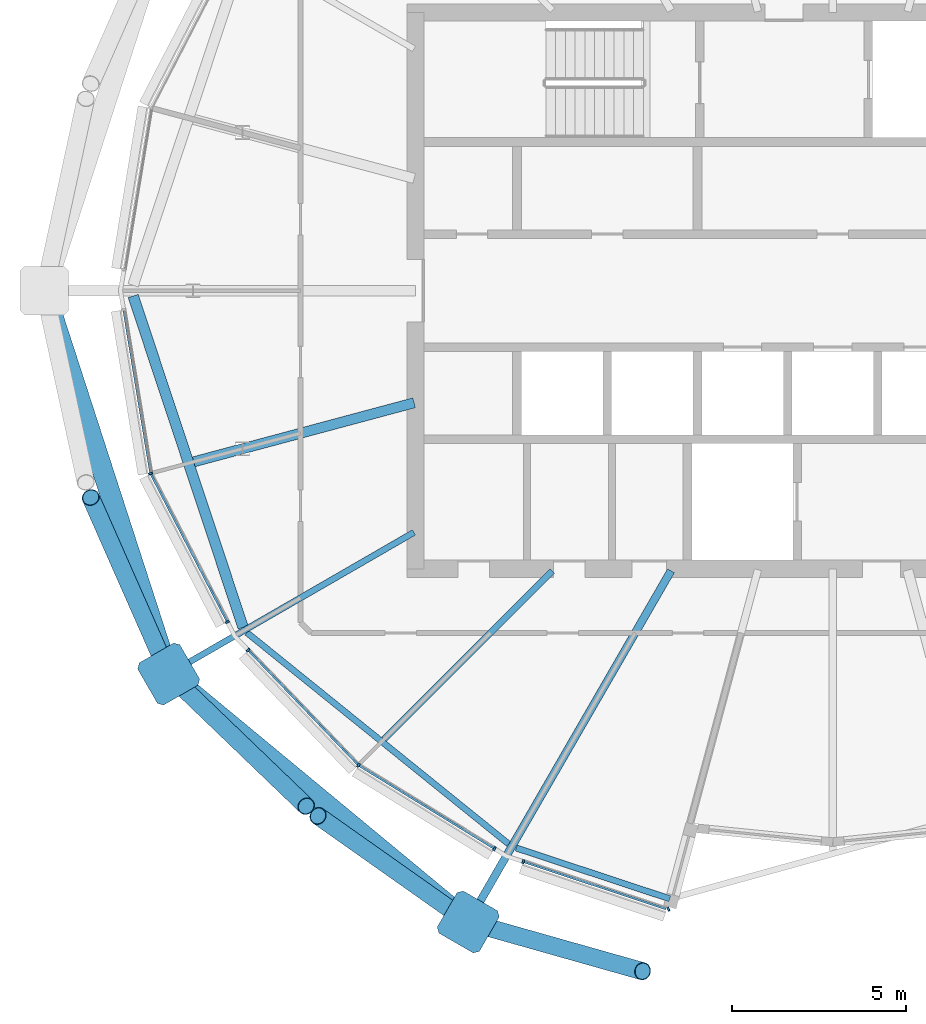
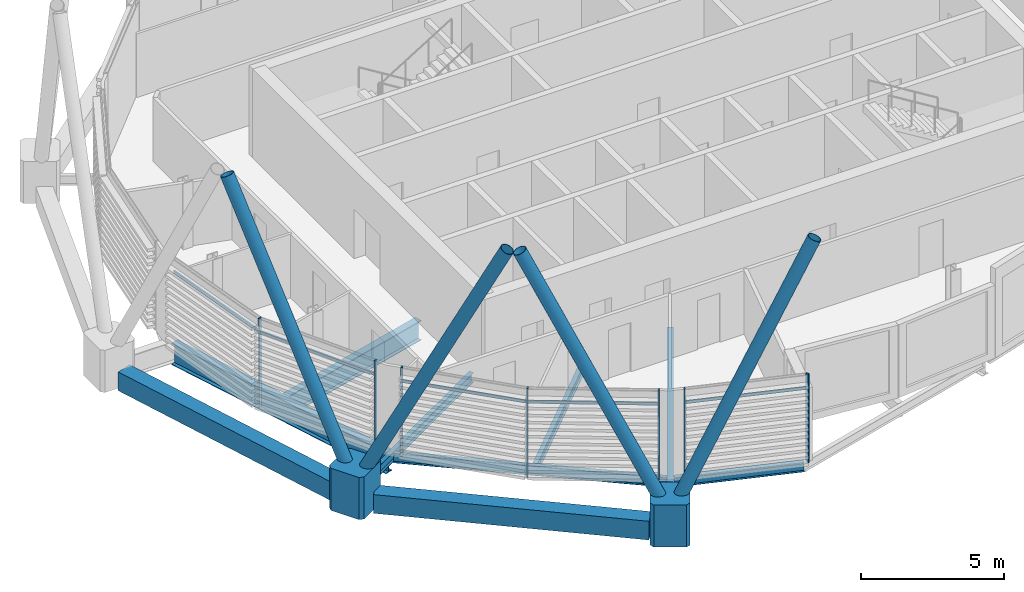
# One storey, part 3 of 32: 18 members, 9 beams, 1 element without a shape of its own.
"""IFC4 building model written with IfcOpenShell, lengths in metres."""

import ifcopenshell
import ifcopenshell.guid

model = None  # the IFC model being written
_history = None  # IfcOwnerHistory: only IFC2X3 demands one
_inside = {}  # id of a spatial element -> (the spatial element, [elements in it])
_under = {}  # id of a project, library or spatial element -> (it, [spatial elements below it])
_declared = {}  # id of a project -> (the project, [libraries it declares])
_typed = {}  # id of a type object -> (the type object, [elements of that type])
_made_of = {}  # id of a material, layer set ... -> (it, [elements and type objects made of it])


def new_model(schema):
    """Start an empty IFC model of exactly this schema.

    Asked for "IFC4X3", IfcOpenShell would pick the latest addendum, in which some entities
    have other attributes; the version numbers below select the first issue.
    IFC2X3 requires an IfcOwnerHistory on every rooted entity: one is made here for all.
    """
    global model, _history
    if schema == "IFC4X3":
        model = ifcopenshell.file(schema_version=(4, 3, 0, 0))
    else:
        model = ifcopenshell.file(schema=schema)
    _inside.clear()
    _under.clear()
    _declared.clear()
    _typed.clear()
    _made_of.clear()
    _history = None
    if model.schema == "IFC2X3":
        org = make("IfcOrganization", Name="unknown")
        user = make(
            "IfcPersonAndOrganization",
            ThePerson=make("IfcPerson", FamilyName="unknown"),
            TheOrganization=org,
        )
        app = make(
            "IfcApplication",
            ApplicationDeveloper=org,
            Version="unknown",
            ApplicationFullName="unknown",
            ApplicationIdentifier="unknown",
        )
        _history = make(
            "IfcOwnerHistory",
            OwningUser=user,
            OwningApplication=app,
            ChangeAction="ADDED",
            CreationDate=0,
        )
    return model


def make(cls, **values):
    """One entity of the class cls with the attributes given. An attribute that is None is left unset."""
    return model.create_entity(
        cls, **{name: value for name, value in values.items() if value is not None}
    )


def rooted(cls, **values):
    """An entity with a GlobalId (a new one), such as an element, a storey or a relation."""
    return make(cls, GlobalId=ifcopenshell.guid.new(), OwnerHistory=_history, **values)


def si_unit(unit_type, name, prefix=None):
    """IfcSIUnit, for example si_unit("LENGTHUNIT", "METRE", prefix="MILLI")."""
    return make("IfcSIUnit", UnitType=unit_type, Prefix=prefix, Name=name)


def assignment(units):
    """IfcUnitAssignment: the units of a project."""
    return None if units is None else make("IfcUnitAssignment", Units=units)


def point(xyz):
    """IfcCartesianPoint."""
    return None if xyz is None else make("IfcCartesianPoint", Coordinates=xyz)


def direction(xyz):
    """IfcDirection."""
    return None if xyz is None else make("IfcDirection", DirectionRatios=xyz)


def frame(location, z_axis=None, x_axis=None):
    """IfcAxis2Placement3D, a coordinate frame: its origin and axes. An axis left out is left unset."""
    return make(
        "IfcAxis2Placement3D",
        Location=point(location),
        Axis=direction(z_axis),
        RefDirection=direction(x_axis),
    )


def frame_2d(location, x_axis=None):
    """IfcAxis2Placement2D, a coordinate frame in the plane: its origin and x axis."""
    return make(
        "IfcAxis2Placement2D", Location=point(location), RefDirection=direction(x_axis)
    )


def origin():
    """The frame at (0, 0, 0) with its axes left unset."""
    return frame((0.0, 0.0, 0.0))


def origin_2d():
    """The frame at (0, 0) in the plane with its x axis left unset."""
    return frame_2d((0.0, 0.0))


def place(relative_to, where):
    """IfcLocalPlacement: puts the frame where relative to a parent placement (None: the world)."""
    return make(
        "IfcLocalPlacement", PlacementRelTo=relative_to, RelativePlacement=where
    )


def context(
    kind, dimensions, precision=None, world=None, true_north=None, identifier=None
):
    """IfcGeometricRepresentationContext, for example the 3D "Model" context."""
    return make(
        "IfcGeometricRepresentationContext",
        ContextIdentifier=identifier,
        ContextType=kind,
        CoordinateSpaceDimension=dimensions,
        Precision=precision,
        WorldCoordinateSystem=world,
        TrueNorth=true_north,
    )


def subcontext(parent, identifier, kind, view, scale=None):
    """IfcGeometricRepresentationSubContext, for example "Body" below "Model"."""
    return make(
        "IfcGeometricRepresentationSubContext",
        ContextIdentifier=identifier,
        ContextType=kind,
        ParentContext=parent,
        TargetScale=scale,
        TargetView=view,
    )


def project(units=None, contexts=None):
    """IfcProject with its units and contexts."""
    return rooted(
        "IfcProject",
        Name="project",
        RepresentationContexts=contexts,
        UnitsInContext=assignment(units),
    )


def spatial(cls, under=None, at=None, **own):
    """A site, building, storey or space (cls), placed at a placement, below another one or the project."""
    s = rooted(cls, ObjectPlacement=at, **own)
    if under is not None:
        _under.setdefault(under.id(), (under, []))[1].append(s)
    return s


def polyline(points):
    """IfcPolyline through the points."""
    return make("IfcPolyline", Points=[point(p) for p in points])


def profile(cls, at=None, kind="AREA", **sizes):
    """A parametric profile (cls). Its sizes go by their IFC names, for example OverallWidth=200.0."""
    return make(cls, ProfileType=kind, Position=at, **sizes)


def rectangle(**sizes):
    """IfcRectangleProfileDef."""
    return profile("IfcRectangleProfileDef", **sizes)


def hollow_rectangle(**sizes):
    """IfcRectangleHollowProfileDef."""
    return profile("IfcRectangleHollowProfileDef", **sizes)


def hollow_circle(**sizes):
    """IfcCircleHollowProfileDef."""
    return profile("IfcCircleHollowProfileDef", **sizes)


def i_section(**sizes):
    """IfcIShapeProfileDef."""
    return profile("IfcIShapeProfileDef", **sizes)


def outline(outer, holes=None, kind="AREA"):
    """IfcArbitraryClosedProfileDef: a profile drawn as a closed curve; with holes, ...WithVoids."""
    if holes is None:
        return make("IfcArbitraryClosedProfileDef", ProfileType=kind, OuterCurve=outer)
    return make(
        "IfcArbitraryProfileDefWithVoids",
        ProfileType=kind,
        OuterCurve=outer,
        InnerCurves=holes,
    )


def extrude(swept, where, along, depth):
    """IfcExtrudedAreaSolid: the profile swept, set in the frame where, extruded along a direction by depth."""
    return make(
        "IfcExtrudedAreaSolid",
        SweptArea=swept,
        Position=where,
        ExtrudedDirection=direction(along),
        Depth=depth,
    )


def shape(context_of_items, identifier, shape_type, items):
    """IfcShapeRepresentation: the items that make up one representation, for example the "Body"."""
    return make(
        "IfcShapeRepresentation",
        ContextOfItems=context_of_items,
        RepresentationIdentifier=identifier,
        RepresentationType=shape_type,
        Items=items,
    )


def material(Name=None, Category=None):
    """IfcMaterial."""
    return make("IfcMaterial", Name=Name, Category=Category)


def material_profile(
    of_material, cross_section, Name=None, Category=None, Priority=None
):
    """IfcMaterialProfile: a cross section and its material."""
    return make(
        "IfcMaterialProfile",
        Name=Name,
        Material=of_material,
        Profile=cross_section,
        Priority=Priority,
        Category=Category,
    )


def profile_set(profiles, Name=None, composite=None):
    """IfcMaterialProfileSet."""
    return make(
        "IfcMaterialProfileSet",
        Name=Name,
        MaterialProfiles=profiles,
        CompositeProfile=composite,
    )


def made_of(thing, what):
    """Note that an element or type object is made of a material, layer set ...; save() writes the relation."""
    if what is not None:
        _made_of.setdefault(what.id(), (what, []))[1].append(thing)
    return thing


def type_object(cls, material=None, **own):
    """A type object (cls), such as IfcWallType, which elements share."""
    return made_of(rooted(cls, **own), material)


def element(
    cls,
    number,
    at=None,
    inside=None,
    cuts=None,
    type_object=None,
    material=None,
    context=None,
    identifier="Body",
    shape_type=None,
    held_by="IfcProductDefinitionShape",
    body=None,
    shapes=None,
    **own,
):
    """One element of the class cls, such as IfcWall. Its Tag is "e" and its number.

    at: its placement. inside: the storey or other place that contains it. cuts: it is an
    opening in that element (IfcRelVoidsElement). A single representation is given by context,
    identifier, shape_type and body (its items); several are given by shapes. held_by: the class
    of the entity that holds the representations. save() writes the other relations.
    """
    e = rooted(cls, Tag="e%d" % number, ObjectPlacement=at, **own)
    if body is not None:
        shapes = [shape(context, identifier, shape_type, body)]
    if shapes is not None:
        e.Representation = make(held_by, Representations=shapes)
    if inside is not None:
        _inside.setdefault(inside.id(), (inside, []))[1].append(e)
    if cuts is not None:
        rooted(
            "IfcRelVoidsElement", RelatingBuildingElement=cuts, RelatedOpeningElement=e
        )
    if type_object is not None:
        _typed.setdefault(type_object.id(), (type_object, []))[1].append(e)
    return made_of(e, material)


def aggregate(whole, parts):
    """IfcRelAggregates: a whole, such as a stair, and the parts it consists of."""
    return rooted("IfcRelAggregates", RelatingObject=whole, RelatedObjects=parts)


def save(model, path):
    """Write the relations noted so far, then the file.

    IfcRelAggregates (storeys below a building ...), IfcRelContainedInSpatialStructure (elements
    in a storey), IfcRelDefinesByType, IfcRelAssociatesMaterial and IfcRelDeclares: one each for
    every whole, place, type object, material and project.
    """
    for whole, parts in _under.values():
        aggregate(whole, parts)
    for where, things in _inside.values():
        rooted(
            "IfcRelContainedInSpatialStructure",
            RelatedElements=things,
            RelatingStructure=where,
        )
    for kind, things in _typed.values():
        rooted("IfcRelDefinesByType", RelatedObjects=things, RelatingType=kind)
    for what, things in _made_of.values():
        rooted("IfcRelAssociatesMaterial", RelatedObjects=things, RelatingMaterial=what)
    for by, libraries in _declared.values():
        rooted("IfcRelDeclares", RelatingContext=by, RelatedDefinitions=libraries)
    model.write(path)


model = new_model("IFC4")

# Units and contexts
model_context = context("Model", 3, precision=1e-05, world=origin(), true_north=direction((0.0, 1.0)))
body_context = subcontext(model_context, "Body", "Model", "MODEL_VIEW")
ifc_project = project(units=[si_unit("LENGTHUNIT", "METRE"), si_unit("AREAUNIT", "SQUARE_METRE"), si_unit("VOLUMEUNIT", "CUBIC_METRE"), si_unit("PLANEANGLEUNIT", "RADIAN"), si_unit("MASSUNIT", "GRAM", prefix="KILO")], contexts=[model_context])

# Site, building, storey
site_placement = place(None, origin())
site = spatial("IfcSite", under=ifc_project, at=site_placement, CompositionType="ELEMENT")
building_placement = place(site_placement, origin())
building = spatial("IfcBuilding", under=site, at=building_placement, Name="Rimbun Link Towers", CompositionType="ELEMENT")
storey_placement = place(building_placement, frame((0.0, 0.0, 233.300048828125)))
storey = spatial("IfcBuildingStorey", under=building, at=storey_placement, Name="L57", CompositionType="ELEMENT", Elevation=233.300048828125)

# Curtain wall, members
ifc_material_1 = material(Name="Aluminium 6063-T6 and low-iron glass", Category="aluminium")
curtain_wall_type = type_object("IfcCurtainWallType", Name="CW1-Z4 unitised vision wall (zone 4)", PredefinedType="NOTDEFINED", material=ifc_material_1)
curtain_wall_placement = place(storey_placement, origin())
curtain_wall = element("IfcCurtainWall", 1, at=curtain_wall_placement, inside=storey, type_object=curtain_wall_type, Name="CW1 L57 T1", PredefinedType="NOTDEFINED")
ifc_material_2 = material(Name="Aluminium 6063-T6", Category="aluminium")
ifc_material_profile_1 = material_profile(ifc_material_2, rectangle(XDim=0.1201171875, YDim=0.06005859375, at=origin_2d()), Name="MULLION 60X120")
ifc_profile_set_1 = profile_set([ifc_material_profile_1], Name="Aluminium 6063-T6")
member_type_1 = type_object("IfcMemberType", Name="CW1 mullion 60X120", PredefinedType="MULLION", material=ifc_profile_set_1)
member_1_placement = place(storey_placement, frame((-51.3701171875, -5.260986328125, 0.0), z_axis=(0.0, 0.0, 1.0), x_axis=(-0.949161339918, -0.314790010651, 0.0)))
member_1 = element("IfcMember", 2, at=member_1_placement, type_object=member_type_1, Name="CW1 mullion", PredefinedType="MULLION", context=body_context, shape_type="SweptSolid", body=[
    extrude(rectangle(XDim=0.1201171875, YDim=0.06005859375, at=origin_2d()), origin(), (0.0, 0.0, 1.0), 3.800048828125),
])
member_2_placement = place(storey_placement, frame((-49.161865234375, -9.530517578125, 0.0), z_axis=(0.0, 0.0, 1.0), x_axis=(-0.888151937067, -0.459549928391, 0.0)))
member_2 = element("IfcMember", 3, at=member_2_placement, type_object=member_type_1, Name="CW1 mullion", PredefinedType="MULLION", context=body_context, shape_type="SweptSolid", body=[
    extrude(rectangle(XDim=0.1201171875, YDim=0.06005859375, at=origin_2d()), origin(), (0.0, 0.0, 1.0), 3.800048828125),
])
member_3_placement = place(storey_placement, frame((-45.39111328125, -13.650146484375, 0.0), z_axis=(0.0, 0.0, 1.0), x_axis=(-0.627668219007, -0.778480961134, 0.0)))
member_3 = element("IfcMember", 4, at=member_3_placement, type_object=member_type_1, Name="CW1 mullion", PredefinedType="MULLION", context=body_context, shape_type="SweptSolid", body=[
    extrude(rectangle(XDim=0.1201171875, YDim=0.06005859375, at=origin_2d()), origin(), (0.0, 0.0, 1.0), 3.800048828125),
])
member_4_placement = place(storey_placement, frame((-48.564453125, -10.341064453125, 0.0), z_axis=(0.0, 0.0, 1.0), x_axis=(-0.721841631662, -0.692058277025, 0.0)))
member_4 = element("IfcMember", 5, at=member_4_placement, type_object=member_type_1, Name="CW1 mullion", PredefinedType="MULLION", context=body_context, shape_type="SweptSolid", body=[
    extrude(rectangle(XDim=0.1201171875, YDim=0.06005859375, at=origin_2d()), origin(), (0.0, 0.0, 1.0), 3.800048828125),
])
member_5_placement = place(storey_placement, frame((-41.48095703125, -16.051513671875, 0.0), z_axis=(0.0, 0.0, 1.0), x_axis=(-0.523240269306, -0.852185203214, 0.0)))
member_5 = element("IfcMember", 6, at=member_5_placement, type_object=member_type_1, Name="CW1 mullion", PredefinedType="MULLION", context=body_context, shape_type="SweptSolid", body=[
    extrude(rectangle(XDim=0.1201171875, YDim=0.06005859375, at=origin_2d()), origin(), (0.0, 0.0, 1.0), 3.800048828125),
])
member_6_placement = place(storey_placement, frame((-36.473876953125, -17.7890625, 0.0), z_axis=(0.0, 0.0, 1.0), x_axis=(0.474595886631, -0.88020380844, 0.0)))
member_6 = element("IfcMember", 7, at=member_6_placement, type_object=member_type_1, Name="CW1 mullion", PredefinedType="MULLION", context=body_context, shape_type="SweptSolid", body=[
    extrude(rectangle(XDim=0.1201171875, YDim=0.06005859375, at=origin_2d()), origin(), (0.0, 0.0, 1.0), 3.800048828125),
])
member_7_placement = place(storey_placement, frame((-40.653076171875, -16.424072265625, 0.0), z_axis=(0.0, 0.0, 1.0), x_axis=(-0.314570456722, -0.949234126945, 0.0)))
member_7 = element("IfcMember", 8, at=member_7_placement, type_object=member_type_1, Name="CW1 mullion", PredefinedType="MULLION", context=body_context, shape_type="SweptSolid", body=[
    extrude(rectangle(XDim=0.1201171875, YDim=0.06005859375, at=origin_2d()), origin(), (0.0, 0.0, 1.0), 3.800048828125),
])
ifc_material_3 = material(Name="Aluminium 6063-T6", Category="aluminium")
ifc_material_profile_2 = material_profile(ifc_material_3, rectangle(XDim=0.06005859375, YDim=0.1201171875, at=origin_2d()), Name="TRANSOM 60X120")
ifc_profile_set_2 = profile_set([ifc_material_profile_2], Name="Aluminium 6063-T6")
member_type_2 = type_object("IfcMemberType", Name="CW1 transom 60X120", PredefinedType="USERDEFINED", material=ifc_profile_set_2)
member_8_placement = place(storey_placement, frame((-51.375244140625, -5.221923828125, 3.199951171875), z_axis=(-0.162293852802, 0.986742471642, 0.0), x_axis=(-0.986742471642, -0.162293852802, 0.0)))
member_8 = element("IfcMember", 9, at=member_8_placement, type_object=member_type_2, Name="CW1 transom", ObjectType="TRANSOM", PredefinedType="USERDEFINED", context=body_context, shape_type="SweptSolid", body=[
    extrude(rectangle(XDim=0.06005859375, YDim=0.1201171875, at=origin_2d()), origin(), (0.0, 0.0, 1.0), 4.702392578125),
])
member_9_placement = place(storey_placement, frame((-49.173828125, -9.5029296875, 3.199951171875), z_axis=(-0.459539280034, 0.888157446687, 0.0), x_axis=(-0.888157446687, -0.459539280034, 0.0)))
member_9 = element("IfcMember", 10, at=member_9_placement, type_object=member_type_2, Name="CW1 transom", ObjectType="TRANSOM", PredefinedType="USERDEFINED", context=body_context, shape_type="SweptSolid", body=[
    extrude(rectangle(XDim=0.06005859375, YDim=0.1201171875, at=origin_2d()), origin(), (0.0, 0.0, 1.0), 4.7373046875),
])
member_10_placement = place(storey_placement, frame((-45.416015625, -13.6220703125, 3.199951171875), z_axis=(-0.692060295755, 0.72183969622, 0.0), x_axis=(-0.72183969622, -0.692060295755, 0.0)))
member_10 = element("IfcMember", 11, at=member_10_placement, type_object=member_type_2, Name="CW1 transom", ObjectType="TRANSOM", PredefinedType="USERDEFINED", context=body_context, shape_type="SweptSolid", body=[
    extrude(rectangle(XDim=0.06005859375, YDim=0.1201171875, at=origin_2d()), origin(), (0.0, 0.0, 1.0), 4.517333984375),
])
member_11_placement = place(storey_placement, frame((-41.50537109375, -16.0341796875, 3.199951171875), z_axis=(-0.852212199101, 0.523196299397, 0.0), x_axis=(-0.523196299397, -0.852212199101, 0.0)))
member_11 = element("IfcMember", 12, at=member_11_placement, type_object=member_type_2, Name="CW1 transom", ObjectType="TRANSOM", PredefinedType="USERDEFINED", context=body_context, shape_type="SweptSolid", body=[
    extrude(rectangle(XDim=0.06005859375, YDim=0.1201171875, at=origin_2d()), origin(), (0.0, 0.0, 1.0), 4.521240234375),
])
member_12_placement = place(storey_placement, frame((-36.549072265625, -17.781982421875, 3.199951171875), z_axis=(-0.949233535942, 0.314572240102, 0.0), x_axis=(-0.314572240102, -0.949233535942, 0.0)))
member_12 = element("IfcMember", 13, at=member_12_placement, type_object=member_type_2, Name="CW1 transom", ObjectType="TRANSOM", PredefinedType="USERDEFINED", context=body_context, shape_type="SweptSolid", body=[
    extrude(rectangle(XDim=0.06005859375, YDim=0.1201171875, at=origin_2d()), origin(), (0.0, 0.0, 1.0), 4.292724609375),
])
aggregate(curtain_wall, [member_1, member_2, member_3, member_4, member_5, member_6, member_7, member_8, member_9, member_10, member_11, member_12])

# Members
ifc_material_4 = material(Name="Steel S355J2H", Category="steel")
ifc_material_profile_3 = material_profile(ifc_material_4, hollow_circle(Radius=0.25390625, WallThickness=0.02001953125, at=origin_2d()), Name="Diagrid diagonal CHS 508x20")
ifc_profile_set_3 = profile_set([ifc_material_profile_3], Name="Steel S355J2H")
member_type_3 = type_object("IfcMemberType", Name="Diagrid diagonal CHS 508x20", PredefinedType="BRACE", material=ifc_profile_set_3)
member_13_placement = place(storey_placement, frame((-50.94140625, -10.82080078125, 0.446044921875), z_axis=(-0.182507496072, 0.413512328143, 0.892019376668), x_axis=(-0.91485603395, -0.40378018419, 0.0)))
element("IfcMember", 14, at=member_13_placement, inside=storey, type_object=member_type_3, Name="Diagrid diagonal T1 L57-L60 14a", PredefinedType="BRACE", context=body_context, shape_type="SweptSolid", body=[
    extrude(hollow_circle(Radius=0.25390625, WallThickness=0.02001953125, at=origin_2d()), origin(), (0.0, 0.0, 1.0), 11.77978515625),
])
member_14_placement = place(storey_placement, frame((-50.688720703125, -11.1826171875, 0.447021484375), z_axis=(0.322916287318, -0.310241495782, 0.894133818665), x_axis=(0.692812847263, 0.7211174375, 0.0)))
element("IfcMember", 15, at=member_14_placement, inside=storey, type_object=member_type_3, Name="Diagrid diagonal T1 L57-L60 14b", PredefinedType="BRACE", context=body_context, shape_type="SweptSolid", body=[
    extrude(hollow_circle(Radius=0.25390625, WallThickness=0.02001953125, at=origin_2d()), origin(), (0.0, 0.0, 1.0), 11.749755859375),
])
member_15_placement = place(storey_placement, frame((-42.411376953125, -18.032958984375, 0.4501953125), z_axis=(-0.355393319914, 0.250810450056, 0.900438618842), x_axis=(-0.576598153893, -0.817027887485, 0.0)))
element("IfcMember", 16, at=member_15_placement, inside=storey, type_object=member_type_3, Name="Diagrid diagonal T1 L57-L60 16a", PredefinedType="BRACE", context=body_context, shape_type="SweptSolid", body=[
    extrude(hollow_circle(Radius=0.25390625, WallThickness=0.02001953125, at=origin_2d()), origin(), (0.0, 0.0, 1.0), 11.660400390625),
])
member_16_placement = place(storey_placement, frame((-42.02685546875, -18.216796875, 0.451416015625), z_axis=(0.413652276696, -0.116863383075, 0.902903507403), x_axis=(0.271874390149, 0.962332747017, 0.0)))
element("IfcMember", 17, at=member_16_placement, inside=storey, type_object=member_type_3, Name="Diagrid diagonal T1 L57-L60 16b", PredefinedType="BRACE", context=body_context, shape_type="SweptSolid", body=[
    extrude(hollow_circle(Radius=0.25390625, WallThickness=0.02001953125, at=origin_2d()), origin(), (0.0, 0.0, 1.0), 11.6259765625),
])
ifc_material_5 = material(Name="Cast steel G20Mn5+QT, Rp0.2 300 MPa", Category="steel")
ifc_material_profile_4 = material_profile(ifc_material_5, outline(polyline([(0.699951171875, -0.570068359375), (0.699951171875, 0.570068359375), (0.570068359375, 0.699951171875), (-0.570068359375, 0.699951171875), (-0.699951171875, 0.570068359375), (-0.699951171875, -0.570068359375), (-0.570068359375, -0.699951171875), (0.570068359375, -0.699951171875), (0.699951171875, -0.570068359375)])), Name="NODE 1400x1400")
ifc_profile_set_4 = profile_set([ifc_material_profile_4], Name="Cast steel G20Mn5+QT, Rp0.2 300 MPa")
member_type_4 = type_object("IfcMemberType", Name="Diagrid node cast 1400", PredefinedType="USERDEFINED", material=ifc_profile_set_4)
for number, where, z_axis, x_axis, name in (
    (18, (-50.850341796875, -11.027587890625, -0.900146484375), (0.0, 0.0, 1.0), (-0.866025403784, -0.5, 0.0), "Diagrid node L57 14"),
    (19, (-42.233642578125, -18.158447265625, -0.900146484375), (0.0, 0.0, 1.0), (-0.5, -0.866025403784, 0.0), "Diagrid node L57 16"),
):
    element("IfcMember", number, at=place(storey_placement, frame(where, z_axis=z_axis, x_axis=x_axis)), inside=storey, type_object=member_type_4, Name=name, ObjectType="Diagrid node", PredefinedType="USERDEFINED", context=body_context, shape_type="SweptSolid", body=[
        extrude(outline(polyline([(0.699951171875, -0.570068359375), (0.699951171875, 0.570068359375), (0.570068359375, 0.699951171875), (-0.570068359375, 0.699951171875), (-0.699951171875, 0.570068359375), (-0.699951171875, -0.570068359375), (-0.570068359375, -0.699951171875), (0.570068359375, -0.699951171875), (0.699951171875, -0.570068359375)])), origin(), (0.0, 0.0, 1.0), 1.800048828125),
    ])

# Beams
ifc_material_6 = material(Name="Steel S355J2", Category="steel")
ifc_material_profile_5 = material_profile(ifc_material_6, hollow_rectangle(XDim=0.60009765625, YDim=0.800048828125, WallThickness=0.0400390625, at=origin_2d()), Name="Exoskeleton ring girder BOX 600x800x40")
ifc_profile_set_5 = profile_set([ifc_material_profile_5], Name="Steel S355J2")
beam_type_1 = type_object("IfcBeamType", Name="Exoskeleton ring girder BOX 600x800x40", PredefinedType="BEAM", material=ifc_profile_set_5)
beam_1_placement = place(storey_placement, frame((-54.209228515625, -0.666015625, -0.56005859375), z_axis=(0.308369969629, -0.951266504104, 0.0), x_axis=(0.951266504104, 0.308369969629, 0.0)))
element("IfcBeam", 20, at=beam_1_placement, inside=storey, type_object=beam_type_1, Name="Exoskeleton ring girder L57 06", PredefinedType="BEAM", context=body_context, shape_type="SweptSolid", body=[
    extrude(hollow_rectangle(XDim=0.60009765625, YDim=0.800048828125, WallThickness=0.0400390625, at=origin_2d()), origin(), (0.0, 0.0, 1.0), 10.192626953125),
])
beam_2_placement = place(storey_placement, frame((-50.31103515625, -11.473876953125, -0.56005859375), z_axis=(0.770401082802, -0.637559543586, 0.0), x_axis=(0.637559543586, 0.770401082802, 0.0)))
element("IfcBeam", 21, at=beam_2_placement, inside=storey, type_object=beam_type_1, Name="Exoskeleton ring girder L57 07", PredefinedType="BEAM", context=body_context, shape_type="SweptSolid", body=[
    extrude(hollow_rectangle(XDim=0.60009765625, YDim=0.800048828125, WallThickness=0.0400390625, at=origin_2d()), origin(), (0.0, 0.0, 1.0), 9.78466796875),
])
ifc_material_7 = material(Name="Steel S355J2", Category="steel")
ifc_material_profile_6 = material_profile(ifc_material_7, i_section(OverallWidth=0.177978515625, OverallDepth=0.406494140625, WebThickness=0.0078125, FlangeThickness=0.0126953125, at=origin_2d()), Name="UB 406x178x60")
ifc_profile_set_6 = profile_set([ifc_material_profile_6], Name="Steel S355J2")
beam_type_2 = type_object("IfcBeamType", Name="UB 406x178x60", PredefinedType="BEAM", material=ifc_profile_set_6)
beam_3_placement = place(storey_placement, frame((-43.79541015625, -6.954345703125, -0.34326171875), z_axis=(-0.866018094706, -0.500012659481, 0.0), x_axis=(0.500012659481, -0.866018094706, 0.0)))
element("IfcBeam", 22, at=beam_3_placement, inside=storey, type_object=beam_type_2, Name="Radial beam T1 L57 14", PredefinedType="BEAM", context=body_context, shape_type="SweptSolid", body=[
    extrude(i_section(OverallWidth=0.177978515625, OverallDepth=0.406494140625, WebThickness=0.0078125, FlangeThickness=0.0126953125, at=origin_2d()), origin(), (0.0, 0.0, 1.0), 7.646240234375),
])
beam_4_placement = place(storey_placement, frame((-39.813720703125, -8.063720703125, -0.34326171875), z_axis=(-0.707106781187, -0.707106781187, 0.0), x_axis=(0.707106781187, -0.707106781187, 0.0)))
element("IfcBeam", 23, at=beam_4_placement, inside=storey, type_object=beam_type_2, Name="Radial beam T1 L57 15", PredefinedType="BEAM", context=body_context, shape_type="SweptSolid", body=[
    extrude(i_section(OverallWidth=0.177978515625, OverallDepth=0.406494140625, WebThickness=0.0078125, FlangeThickness=0.0126953125, at=origin_2d()), origin(), (0.0, 0.0, 1.0), 6.84814453125),
])
beam_5_placement = place(storey_placement, frame((-48.60400390625, -9.83447265625, -0.34326171875), z_axis=(0.778073442761, -0.628173318178, 0.0), x_axis=(0.628173318178, 0.778073442761, 0.0)))
element("IfcBeam", 24, at=beam_5_placement, inside=storey, type_object=beam_type_2, Name="Edge beam T1 L57 14-16", PredefinedType="BEAM", context=body_context, shape_type="SweptSolid", body=[
    extrude(i_section(OverallWidth=0.177978515625, OverallDepth=0.406494140625, WebThickness=0.0078125, FlangeThickness=0.0126953125, at=origin_2d()), origin(), (0.0, 0.0, 1.0), 9.680908203125),
])
beam_6_placement = place(storey_placement, frame((-40.852294921875, -16.03125, -0.34326171875), z_axis=(0.949405424141, -0.314053085658, 0.0), x_axis=(0.314053085658, 0.949405424141, 0.0)))
element("IfcBeam", 25, at=beam_6_placement, inside=storey, type_object=beam_type_2, Name="Edge beam T1 L57 16", PredefinedType="BEAM", context=body_context, shape_type="SweptSolid", body=[
    extrude(i_section(OverallWidth=0.177978515625, OverallDepth=0.406494140625, WebThickness=0.0078125, FlangeThickness=0.0126953125, at=origin_2d()), origin(), (0.0, 0.0, 1.0), 4.649658203125),
])
ifc_material_8 = material(Name="Steel S355J2", Category="steel")
ifc_material_profile_7 = material_profile(ifc_material_8, i_section(OverallWidth=0.2275390625, OverallDepth=0.6025390625, WebThickness=0.010498046875, FlangeThickness=0.014892578125, at=origin_2d()), Name="UB 610x229x101")
ifc_profile_set_7 = profile_set([ifc_material_profile_7], Name="Steel S355J2")
beam_type_3 = type_object("IfcBeamType", Name="UB 610x229x101", PredefinedType="BEAM", material=ifc_profile_set_7)
beam_7_placement = place(storey_placement, frame((-36.402099609375, -8.057861328125, -0.44140625), z_axis=(-0.500001378502, -0.866024607905, 0.0), x_axis=(0.866024607905, -0.500001378502, 0.0)))
element("IfcBeam", 26, at=beam_7_placement, inside=storey, type_object=beam_type_3, Name="Radial beam T1 L57 16", PredefinedType="BEAM", context=body_context, shape_type="SweptSolid", body=[
    extrude(i_section(OverallWidth=0.2275390625, OverallDepth=0.6025390625, WebThickness=0.010498046875, FlangeThickness=0.014892578125, at=origin_2d()), origin(), (0.0, 0.0, 1.0), 11.1630859375),
])
ifc_material_9 = material(Name="Steel S355J2", Category="steel")
ifc_material_profile_8 = material_profile(ifc_material_9, i_section(OverallWidth=0.29248046875, OverallDepth=0.8408203125, WebThickness=0.0126953125, FlangeThickness=0.021728515625, at=origin_2d()), Name="UB 838x292x194")
ifc_profile_set_8 = profile_set([ifc_material_profile_8], Name="Steel S355J2")
beam_type_4 = type_object("IfcBeamType", Name="UB 838x292x194", PredefinedType="BEAM", material=ifc_profile_set_8)
beam_8_placement = place(storey_placement, frame((-43.788818359375, -3.225830078125, -0.560302734375), z_axis=(-0.965929781148, -0.258804284917, 0.0), x_axis=(0.258804284917, -0.965929781148, 0.0)))
element("IfcBeam", 27, at=beam_8_placement, inside=storey, type_object=beam_type_4, Name="Radial beam T1 L57 13", PredefinedType="BEAM", context=body_context, shape_type="SweptSolid", body=[
    extrude(i_section(OverallWidth=0.29248046875, OverallDepth=0.8408203125, WebThickness=0.0126953125, FlangeThickness=0.021728515625, at=origin_2d()), origin(), (0.0, 0.0, 1.0), 6.56103515625),
])
ifc_material_10 = material(Name="Steel S355J2", Category="steel")
ifc_material_profile_9 = material_profile(ifc_material_10, i_section(OverallWidth=0.305419921875, OverallDepth=0.91845703125, WebThickness=0.017333984375, FlangeThickness=0.02783203125, at=origin_2d()), Name="UB 914x305x253")
ifc_profile_set_9 = profile_set([ifc_material_profile_9], Name="Steel S355J2")
beam_type_5 = type_object("IfcBeamType", Name="UB 914x305x253", PredefinedType="BEAM", material=ifc_profile_set_9)
beam_9_placement = place(storey_placement, frame((-51.870849609375, -0.15380859375, -0.599365234375), z_axis=(0.31492217795, -0.949117496328, 0.0), x_axis=(0.949117496328, 0.31492217795, 0.0)))
element("IfcBeam", 28, at=beam_9_placement, inside=storey, type_object=beam_type_5, Name="Edge beam T1 L57 12-14", PredefinedType="BEAM", context=body_context, shape_type="SweptSolid", body=[
    extrude(i_section(OverallWidth=0.305419921875, OverallDepth=0.91845703125, WebThickness=0.017333984375, FlangeThickness=0.02783203125, at=origin_2d()), origin(), (0.0, 0.0, 1.0), 10.0439453125),
])

save(model, "model.ifc")
